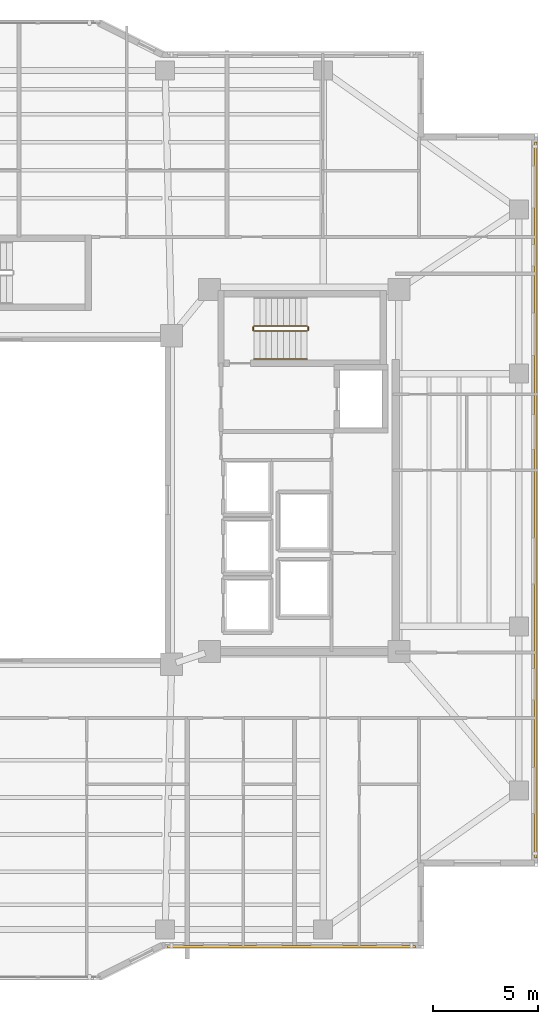
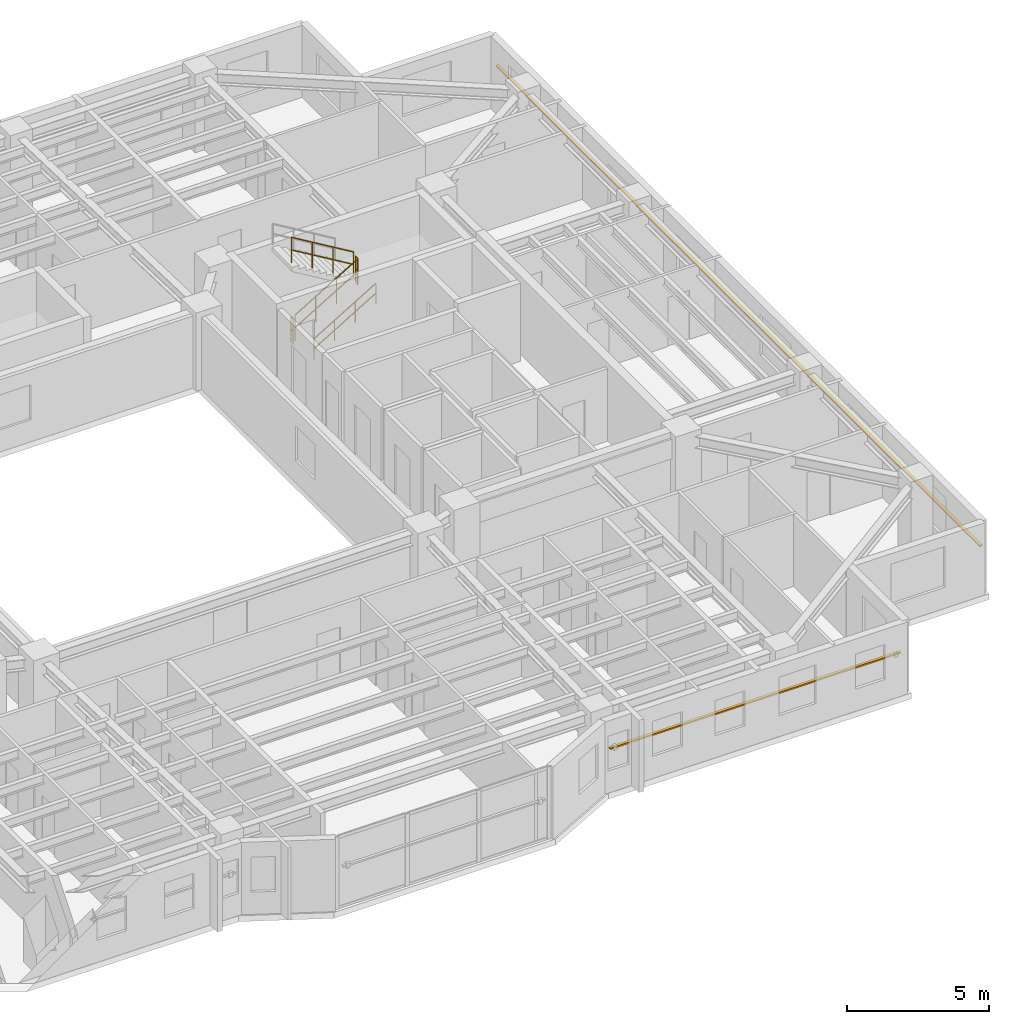
# One storey, part 15 of 16: 5 railings, 2 shading devices.
"""IFC4 building model written with IfcOpenShell, lengths in metres."""

from ifc_helpers import new_model, si_unit, direction, frame, origin, origin_2d, place, context, subcontext, project, spatial, rectangle, circle, extrude, material, material_profile, profile_set, type_object, element, save


model = new_model("IFC4")

# Units and contexts
model_context = context("Model", 3, precision=1e-05, world=origin(), true_north=direction((0.0, 1.0)))
body_context = subcontext(model_context, "Body", "Model", "MODEL_VIEW")
ifc_project = project(units=[si_unit("LENGTHUNIT", "METRE"), si_unit("AREAUNIT", "SQUARE_METRE"), si_unit("VOLUMEUNIT", "CUBIC_METRE"), si_unit("PLANEANGLEUNIT", "RADIAN"), si_unit("MASSUNIT", "GRAM", prefix="KILO")], contexts=[model_context])

# Site, building, storey
site_placement = place(None, origin())
site = spatial("IfcSite", under=ifc_project, at=site_placement, CompositionType="ELEMENT")
building_placement = place(site_placement, origin())
building = spatial("IfcBuilding", under=site, at=building_placement, Name="Tarnavaz Court Tower", CompositionType="ELEMENT")
storey_placement = place(building_placement, frame((0.0, 0.0, 166.10009765625)))
storey = spatial("IfcBuildingStorey", under=building, at=storey_placement, Name="L45", CompositionType="ELEMENT", Elevation=166.10009765625)

# Railings
ifc_material_1 = material(Name="Brushed Stainless Steel", Category="steel")
railing_type_1 = type_object("IfcRailingType", Name="RL-HANDRAIL-900", PredefinedType="HANDRAIL", material=ifc_material_1)
railing_1_placement = place(storey_placement, frame((11.719970703125, 6.699951171875, 0.16748046875)))
element("IfcRailing", 1, at=railing_1_placement, inside=storey, type_object=railing_type_1, Name="L45 ST-E1 stair handrail 1", PredefinedType="HANDRAIL", context=body_context, shape_type="SweptSolid", body=[
    extrude(circle(Radius=0.02392578125, at=origin_2d()), frame((0.0, 0.0, 0.8759765625), z_axis=(0.858196387827, 0.0, 0.513321497621), x_axis=(0.0, 1.0, 0.0)), (0.0, 0.0, 1.0), 2.9365234375),
    extrude(circle(Radius=0.02392578125, at=origin_2d()), frame((0.0, 0.0, 0.449951171875), z_axis=(0.858196387827, 0.0, 0.513321497621), x_axis=(0.0, 1.0, 0.0)), (0.0, 0.0, 1.0), 2.9365234375),
    extrude(circle(Radius=0.02099609375, at=origin_2d()), origin(), (0.0, 0.0, 1.0), 0.851806640625),
    extrude(circle(Radius=0.02099609375, at=origin_2d()), frame((0.840087890625, 0.0, 0.50244140625)), (0.0, 0.0, 1.0), 0.851806640625),
    extrude(circle(Radius=0.02099609375, at=origin_2d()), frame((1.679931640625, 0.0, 1.0048828125)), (0.0, 0.0, 1.0), 0.851806640625),
    extrude(circle(Radius=0.02099609375, at=origin_2d()), frame((2.52001953125, 0.0, 1.50732421875)), (0.0, 0.0, 1.0), 0.851806640625),
])
ifc_material_2 = material(Name="Galvanized Painted Tubular Steel", Category="steel")
railing_type_2 = type_object("IfcRailingType", Name="RL-STGUARD-1120", PredefinedType="GUARDRAIL", material=ifc_material_2)
railing_2_placement = place(storey_placement, frame((11.719970703125, 8.02001953125, 0.16748046875)))
element("IfcRailing", 2, at=railing_2_placement, inside=storey, type_object=railing_type_2, Name="L45 ST-E1 stair guard 1", PredefinedType="GUARDRAIL", context=body_context, shape_type="SweptSolid", body=[
    extrude(circle(Radius=0.02392578125, at=origin_2d()), frame((0.0, 0.0, 1.09619140625), z_axis=(0.858196387827, 0.0, 0.513321497621), x_axis=(0.0, 1.0, 0.0)), (0.0, 0.0, 1.0), 2.9365234375),
    extrude(circle(Radius=0.02392578125, at=origin_2d()), frame((0.0, 0.0, 0.56005859375), z_axis=(0.858196387827, 0.0, 0.513321497621), x_axis=(0.0, 1.0, 0.0)), (0.0, 0.0, 1.0), 2.9365234375),
    extrude(circle(Radius=0.02099609375, at=origin_2d()), origin(), (0.0, 0.0, 1.0), 1.072021484375),
    extrude(circle(Radius=0.02099609375, at=origin_2d()), frame((0.840087890625, 0.0, 0.50244140625)), (0.0, 0.0, 1.0), 1.072021484375),
    extrude(circle(Radius=0.02099609375, at=origin_2d()), frame((1.679931640625, 0.0, 1.0048828125)), (0.0, 0.0, 1.0), 1.072021484375),
    extrude(circle(Radius=0.02099609375, at=origin_2d()), frame((2.52001953125, 0.0, 1.50732421875)), (0.0, 0.0, 1.0), 1.072021484375),
])
railing_3_placement = place(storey_placement, frame((14.2900390625, 8.070068359375, 1.6748046875)))
element("IfcRailing", 3, at=railing_3_placement, inside=storey, type_object=railing_type_2, Name="L45 ST-E1 stair guard 2", PredefinedType="GUARDRAIL", context=body_context, shape_type="SweptSolid", body=[
    extrude(circle(Radius=0.02392578125, at=origin_2d()), frame((0.0, 0.0, 1.09619140625), z_axis=(0.0, 1.0, 0.0), x_axis=(-1.0, 0.0, 0.0)), (0.0, 0.0, 1.0), 0.14990234375),
    extrude(circle(Radius=0.02392578125, at=origin_2d()), frame((0.0, 0.0, 0.56005859375), z_axis=(0.0, 1.0, 0.0), x_axis=(-1.0, 0.0, 0.0)), (0.0, 0.0, 1.0), 0.14990234375),
    extrude(circle(Radius=0.02099609375, at=origin_2d()), origin(), (0.0, 0.0, 1.0), 1.072021484375),
    extrude(circle(Radius=0.02099609375, at=origin_2d()), frame((0.0, 0.14990234375, 0.0)), (0.0, 0.0, 1.0), 1.072021484375),
])
railing_4_placement = place(storey_placement, frame((14.239990234375, 8.27001953125, 1.84228515625)))
element("IfcRailing", 4, at=railing_4_placement, inside=storey, type_object=railing_type_2, Name="L45 ST-E1 stair guard 3", PredefinedType="GUARDRAIL", context=body_context, shape_type="SweptSolid", body=[
    extrude(circle(Radius=0.02392578125, at=origin_2d()), frame((0.0, 0.0, 1.09619140625), z_axis=(-0.858159760407, 0.0, 0.513382728203), x_axis=(0.0, -1.0, 0.0)), (0.0, 0.0, 1.0), 2.9365234375),
    extrude(circle(Radius=0.02392578125, at=origin_2d()), frame((0.0, 0.0, 0.56005859375), z_axis=(-0.858159760407, 0.0, 0.513382728203), x_axis=(0.0, -1.0, 0.0)), (0.0, 0.0, 1.0), 2.9365234375),
    extrude(circle(Radius=0.02099609375, at=origin_2d()), origin(), (0.0, 0.0, 1.0), 1.072021484375),
    extrude(circle(Radius=0.02099609375, at=origin_2d()), frame((-0.840087890625, 0.0, 0.50244140625)), (0.0, 0.0, 1.0), 1.072021484375),
    extrude(circle(Radius=0.02099609375, at=origin_2d()), frame((-1.679931640625, 0.0, 1.005126953125)), (0.0, 0.0, 1.0), 1.072021484375),
    extrude(circle(Radius=0.02099609375, at=origin_2d()), frame((-2.52001953125, 0.0, 1.507568359375)), (0.0, 0.0, 1.0), 1.072021484375),
])
railing_5_placement = place(storey_placement, frame((11.669921875, 8.070068359375, 0.0)))
element("IfcRailing", 5, at=railing_5_placement, inside=storey, type_object=railing_type_2, Name="L45 ST-E1 stair guard 4", PredefinedType="GUARDRAIL", context=body_context, shape_type="SweptSolid", body=[
    extrude(circle(Radius=0.02392578125, at=origin_2d()), frame((0.0, 0.0, 1.09619140625), z_axis=(0.0, 1.0, 0.0), x_axis=(-1.0, 0.0, 0.0)), (0.0, 0.0, 1.0), 0.14990234375),
    extrude(circle(Radius=0.02392578125, at=origin_2d()), frame((0.0, 0.0, 0.56005859375), z_axis=(0.0, 1.0, 0.0), x_axis=(-1.0, 0.0, 0.0)), (0.0, 0.0, 1.0), 0.14990234375),
    extrude(circle(Radius=0.02099609375, at=origin_2d()), origin(), (0.0, 0.0, 1.0), 1.072021484375),
    extrude(circle(Radius=0.02099609375, at=origin_2d()), frame((0.0, 0.14990234375, 0.0)), (0.0, 0.0, 1.0), 1.072021484375),
])

# Shading devices
ifc_material_3 = material(Name="Kiln-Fired Khorasan Terracotta Ceramic", Category="masonry")
ifc_material_profile = material_profile(ifc_material_3, rectangle(XDim=0.1201171875, YDim=0.06005859375, at=origin_2d()), Name="TC BAGUETTE 120X60")
ifc_profile_set = profile_set([ifc_material_profile], Name="Kiln-Fired Khorasan Terracotta Ceramic")
shading_device_type = type_object("IfcShadingDeviceType", Name="SD-BAG-120", PredefinedType="USERDEFINED", material=ifc_profile_set)
shading_device_1_placement = place(storey_placement, frame((25.110107421875, 17.0, 1.849853515625), z_axis=(0.0, -1.0, 0.0), x_axis=(1.0, 0.0, 0.0)))
element("IfcShadingDevice", 6, at=shading_device_1_placement, inside=storey, type_object=shading_device_type, Name="L45 Terracotta Baguette Screen FBG12", ObjectType="BAGUETTE", PredefinedType="USERDEFINED", context=body_context, shape_type="SweptSolid", body=[
    extrude(rectangle(XDim=0.1201171875, YDim=0.06005859375, at=origin_2d()), origin(), (0.0, 0.0, 1.0), 34.0),
])
shading_device_2_placement = place(storey_placement, frame((19.39990234375, -21.2099609375, 1.849853515625), z_axis=(-1.0, 0.0, 0.0), x_axis=(0.0, -1.0, 0.0)))
element("IfcShadingDevice", 7, at=shading_device_2_placement, inside=storey, type_object=shading_device_type, Name="L45 Terracotta Baguette Screen FBG15", ObjectType="BAGUETTE", PredefinedType="USERDEFINED", context=body_context, shape_type="SweptSolid", body=[
    extrude(rectangle(XDim=0.1201171875, YDim=0.06005859375, at=origin_2d()), origin(), (0.0, 0.0, 1.0), 11.7998046875),
])

save(model, "model.ifc")
